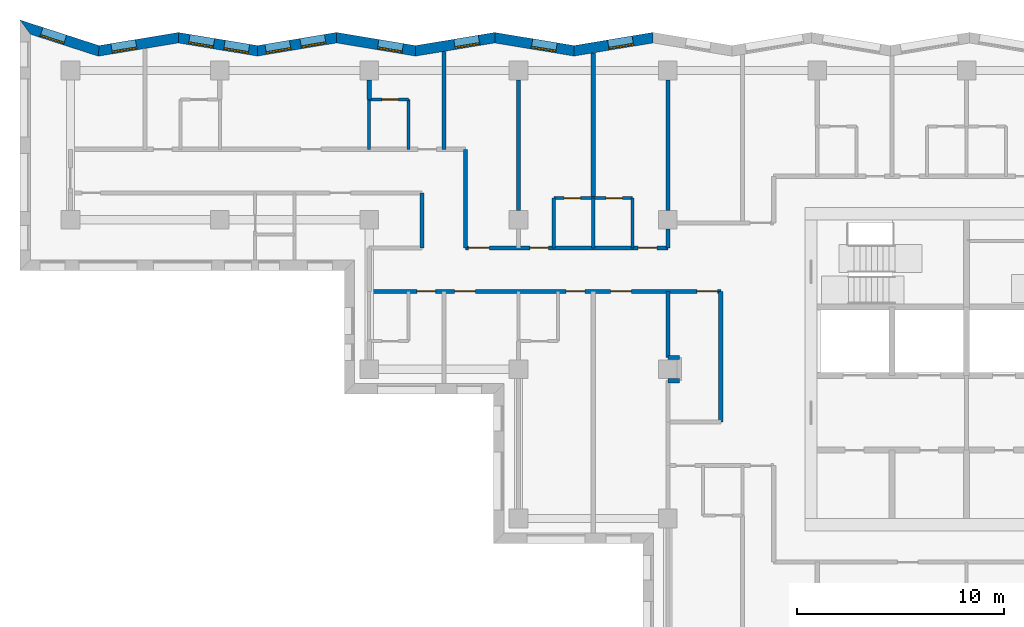
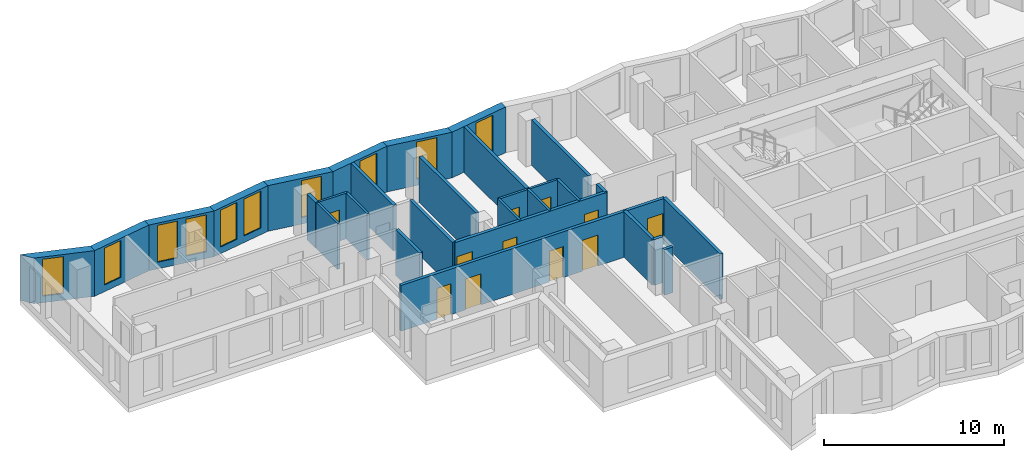
# One storey, part 5 of 13: 29 walls, 11 doors, 10 windows, 21 openings.
"""IFC4 building model written with IfcOpenShell, lengths in metres."""

from ifc_helpers import new_model, si_unit, direction, frame, frame_2d, origin, place, context, subcontext, project, spatial, polyline, rectangle, outline, extrude, material, layer, layer_set, type_object, element, fill, save


model = new_model("IFC4")

# Units and contexts
model_context = context("Model", 3, precision=1e-05, world=origin(), true_north=direction((0.0, 1.0)))
body_context = subcontext(model_context, "Body", "Model", "MODEL_VIEW")
ifc_project = project(units=[si_unit("LENGTHUNIT", "METRE"), si_unit("AREAUNIT", "SQUARE_METRE"), si_unit("VOLUMEUNIT", "CUBIC_METRE"), si_unit("PLANEANGLEUNIT", "RADIAN"), si_unit("MASSUNIT", "GRAM", prefix="KILO")], contexts=[model_context])

# Site, building, storey
site_placement = place(None, origin())
site = spatial("IfcSite", under=ifc_project, at=site_placement, CompositionType="ELEMENT")
building_placement = place(site_placement, origin())
building = spatial("IfcBuilding", under=site, at=building_placement, Name="Windrow Commons", CompositionType="ELEMENT")
storey_placement = place(building_placement, frame((0.0, 0.0, 172.8)))
storey = spatial("IfcBuildingStorey", under=building, at=storey_placement, Name="L47", CompositionType="ELEMENT", Elevation=172.8)

# Wall, opening, window
ifc_material_1 = material(Name="Brick masonry, red clay brick", Category="masonry")
ifc_layer_1 = layer(ifc_material_1, 0.5)
ifc_layer_set_1 = layer_set([ifc_layer_1], Name="Brick facade wall 500")
wall_type_1 = type_object("IfcWallType", Name="Brick facade wall 500", PredefinedType="SOLIDWALL", material=ifc_layer_set_1)
wall_1_placement = place(storey_placement, frame((49.6853, 73.5796, 0.0), z_axis=(0.0, 0.0, 1.0), x_axis=(-0.9865110911, -0.1636944324, 0.0)))
wall_1 = element("IfcWall", 1, at=wall_1_placement, inside=storey, type_object=wall_type_1, Name="Brick facade wall L47 27", PredefinedType="SOLIDWALL", context=body_context, shape_type="SweptSolid", body=[
    extrude(outline(polyline([(-0.0415, -0.25), (3.8255, -0.25), (3.9084, 0.25), (0.0415, 0.25), (-0.0415, -0.25)])), origin(), (0.0, 0.0, 1.0), 3.1),
])
opening_1_placement = place(wall_1_placement, frame((0.9831, 0.0, 0.45)))
opening_1 = element("IfcOpeningElement", 2, at=opening_1_placement, cuts=wall_1, Name="Opening W7E", PredefinedType="OPENING", context=body_context, shape_type="SweptSolid", body=[
    extrude(rectangle(XDim=1.2, YDim=2.5, at=frame_2d((0.6, 1.25))), frame((0.0, 0.26, 0.0), z_axis=(0.0, -1.0, 0.0), x_axis=(1.0, 0.0, 0.0)), (0.0, 0.0, 1.0), 0.52),
])
ifc_material_2 = material(Name="Clear float glass in anodised aluminium frame", Category="aluminium")
window_type = type_object("IfcWindowType", Name="Window W7 notch 1200x2500", PartitioningType="SINGLE_PANEL", PredefinedType="WINDOW", material=ifc_material_2)
window_1_placement = place(opening_1_placement, origin())
window_1 = element("IfcWindow", 3, at=window_1_placement, inside=storey, type_object=window_type, Name="Window L47 27.1", OverallHeight=2.5, OverallWidth=1.2, PartitioningType="SINGLE_PANEL", PredefinedType="WINDOW", context=body_context, shape_type="SweptSolid", body=[
    extrude(rectangle(XDim=1.2, YDim=2.5, at=frame_2d((0.6, 1.25))), frame((0.0, 0.18, 0.0), z_axis=(0.0, -1.0, 0.0), x_axis=(1.0, 0.0, 0.0)), (0.0, 0.0, 1.0), 0.06),
])
fill(opening_1, window_1)

wall_2_placement = place(storey_placement, frame((45.8705, 72.9466, 0.0), z_axis=(0.0, 0.0, 1.0), x_axis=(-0.9865110911, 0.1636944324, 0.0)))
wall_2 = element("IfcWall", 4, at=wall_2_placement, inside=storey, type_object=wall_type_1, Name="Brick facade wall L47 28", PredefinedType="SOLIDWALL", context=body_context, shape_type="SweptSolid", body=[
    extrude(outline(polyline([(0.0415, -0.25), (3.9084, -0.25), (3.8255, 0.25), (-0.0415, 0.25), (0.0415, -0.25)])), origin(), (0.0, 0.0, 1.0), 3.1),
])
opening_2_placement = place(wall_2_placement, frame((0.8535, 0.0, 0.45)))
opening_2 = element("IfcOpeningElement", 5, at=opening_2_placement, cuts=wall_2, Name="Opening W7E", PredefinedType="OPENING", context=body_context, shape_type="SweptSolid", body=[
    extrude(rectangle(XDim=1.2, YDim=2.5, at=frame_2d((0.6, 1.25))), frame((0.0, 0.26, 0.0), z_axis=(0.0, -1.0, 0.0), x_axis=(1.0, 0.0, 0.0)), (0.0, 0.0, 1.0), 0.52),
])
window_2_placement = place(opening_2_placement, origin())
window_2 = element("IfcWindow", 6, at=window_2_placement, inside=storey, type_object=window_type, Name="Window L47 28.1", OverallHeight=2.5, OverallWidth=1.2, PartitioningType="SINGLE_PANEL", PredefinedType="WINDOW", context=body_context, shape_type="SweptSolid", body=[
    extrude(rectangle(XDim=1.2, YDim=2.5, at=frame_2d((0.6, 1.25))), frame((0.0, 0.18, 0.0), z_axis=(0.0, -1.0, 0.0), x_axis=(1.0, 0.0, 0.0)), (0.0, 0.0, 1.0), 0.06),
])
fill(opening_2, window_2)

wall_3_placement = place(storey_placement, frame((42.0557, 73.5796, 0.0), z_axis=(0.0, 0.0, 1.0), x_axis=(-0.9865110911, -0.1636944324, 0.0)))
wall_3 = element("IfcWall", 7, at=wall_3_placement, inside=storey, type_object=wall_type_1, Name="Brick facade wall L47 29", PredefinedType="SOLIDWALL", context=body_context, shape_type="SweptSolid", body=[
    extrude(outline(polyline([(-0.0415, -0.25), (3.8255, -0.25), (3.9084, 0.25), (0.0415, 0.25), (-0.0415, -0.25)])), origin(), (0.0, 0.0, 1.0), 3.1),
])
opening_3_placement = place(wall_3_placement, frame((0.7654, 0.0, 0.45)))
opening_3 = element("IfcOpeningElement", 8, at=opening_3_placement, cuts=wall_3, Name="Opening W7E", PredefinedType="OPENING", context=body_context, shape_type="SweptSolid", body=[
    extrude(rectangle(XDim=1.2, YDim=2.5, at=frame_2d((0.6, 1.25))), frame((0.0, 0.26, 0.0), z_axis=(0.0, -1.0, 0.0), x_axis=(1.0, 0.0, 0.0)), (0.0, 0.0, 1.0), 0.52),
])
window_3_placement = place(opening_3_placement, origin())
window_3 = element("IfcWindow", 9, at=window_3_placement, inside=storey, type_object=window_type, Name="Window L47 29.1", OverallHeight=2.5, OverallWidth=1.2, PartitioningType="SINGLE_PANEL", PredefinedType="WINDOW", context=body_context, shape_type="SweptSolid", body=[
    extrude(rectangle(XDim=1.2, YDim=2.5, at=frame_2d((0.6, 1.25))), frame((0.0, 0.18, 0.0), z_axis=(0.0, -1.0, 0.0), x_axis=(1.0, 0.0, 0.0)), (0.0, 0.0, 1.0), 0.06),
])
fill(opening_3, window_3)

wall_4_placement = place(storey_placement, frame((38.2409, 72.9466, 0.0), z_axis=(0.0, 0.0, 1.0), x_axis=(-0.9865110911, 0.1636944324, 0.0)))
wall_4 = element("IfcWall", 10, at=wall_4_placement, inside=storey, type_object=wall_type_1, Name="Brick facade wall L47 30", PredefinedType="SOLIDWALL", context=body_context, shape_type="SweptSolid", body=[
    extrude(outline(polyline([(0.0415, -0.25), (3.9084, -0.25), (3.8255, 0.25), (-0.0415, 0.25), (0.0415, -0.25)])), origin(), (0.0, 0.0, 1.0), 3.1),
])
opening_4_placement = place(wall_4_placement, frame((0.6358, 0.0, 0.45)))
opening_4 = element("IfcOpeningElement", 11, at=opening_4_placement, cuts=wall_4, Name="Opening W7E", PredefinedType="OPENING", context=body_context, shape_type="SweptSolid", body=[
    extrude(rectangle(XDim=1.2, YDim=2.5, at=frame_2d((0.6, 1.25))), frame((0.0, 0.26, 0.0), z_axis=(0.0, -1.0, 0.0), x_axis=(1.0, 0.0, 0.0)), (0.0, 0.0, 1.0), 0.52),
])
window_4_placement = place(opening_4_placement, origin())
window_4 = element("IfcWindow", 12, at=window_4_placement, inside=storey, type_object=window_type, Name="Window L47 30.1", OverallHeight=2.5, OverallWidth=1.2, PartitioningType="SINGLE_PANEL", PredefinedType="WINDOW", context=body_context, shape_type="SweptSolid", body=[
    extrude(rectangle(XDim=1.2, YDim=2.5, at=frame_2d((0.6, 1.25))), frame((0.0, 0.18, 0.0), z_axis=(0.0, -1.0, 0.0), x_axis=(1.0, 0.0, 0.0)), (0.0, 0.0, 1.0), 0.06),
])
fill(opening_4, window_4)

# Wall, openings, windows
wall_5_placement = place(storey_placement, frame((34.4261, 73.5796, 0.0), z_axis=(0.0, 0.0, 1.0), x_axis=(-0.9865103981, -0.1636986085, 0.0)))
wall_5 = element("IfcWall", 13, at=wall_5_placement, inside=storey, type_object=wall_type_1, Name="Brick facade wall L47 31", PredefinedType="SOLIDWALL", context=body_context, shape_type="SweptSolid", body=[
    extrude(outline(polyline([(-0.0415, -0.25), (3.8255, -0.25), (3.9084, 0.25), (0.0415, 0.25), (-0.0415, -0.25)])), origin(), (0.0, 0.0, 1.0), 3.1),
])
opening_5_placement = place(wall_5_placement, frame((0.5477, 0.0, 0.45)))
opening_5 = element("IfcOpeningElement", 14, at=opening_5_placement, cuts=wall_5, Name="Opening W7E", PredefinedType="OPENING", context=body_context, shape_type="SweptSolid", body=[
    extrude(rectangle(XDim=1.2, YDim=2.5, at=frame_2d((0.6, 1.25))), frame((0.0, 0.26, 0.0), z_axis=(0.0, -1.0, 0.0), x_axis=(1.0, 0.0, 0.0)), (0.0, 0.0, 1.0), 0.52),
])
opening_6_placement = place(wall_5_placement, frame((2.2604, 0.0, 0.45)))
opening_6 = element("IfcOpeningElement", 15, at=opening_6_placement, cuts=wall_5, Name="Opening W7E", PredefinedType="OPENING", context=body_context, shape_type="SweptSolid", body=[
    extrude(rectangle(XDim=1.2, YDim=2.5, at=frame_2d((0.6, 1.25))), frame((0.0, 0.26, 0.0), z_axis=(0.0, -1.0, 0.0), x_axis=(1.0, 0.0, 0.0)), (0.0, 0.0, 1.0), 0.52),
])
window_5_placement = place(opening_5_placement, origin())
window_5 = element("IfcWindow", 16, at=window_5_placement, inside=storey, type_object=window_type, Name="Window L47 31.1", OverallHeight=2.5, OverallWidth=1.2, PartitioningType="SINGLE_PANEL", PredefinedType="WINDOW", context=body_context, shape_type="SweptSolid", body=[
    extrude(rectangle(XDim=1.2, YDim=2.5, at=frame_2d((0.6, 1.25))), frame((0.0, 0.18, 0.0), z_axis=(0.0, -1.0, 0.0), x_axis=(1.0, 0.0, 0.0)), (0.0, 0.0, 1.0), 0.06),
])
fill(opening_5, window_5)
window_6_placement = place(opening_6_placement, origin())
window_6 = element("IfcWindow", 17, at=window_6_placement, inside=storey, type_object=window_type, Name="Window L47 31.2", OverallHeight=2.5, OverallWidth=1.2, PartitioningType="SINGLE_PANEL", PredefinedType="WINDOW", context=body_context, shape_type="SweptSolid", body=[
    extrude(rectangle(XDim=1.2, YDim=2.5, at=frame_2d((0.6, 1.25))), frame((0.0, 0.18, 0.0), z_axis=(0.0, -1.0, 0.0), x_axis=(1.0, 0.0, 0.0)), (0.0, 0.0, 1.0), 0.06),
])
fill(opening_6, window_6)

wall_6_placement = place(storey_placement, frame((30.6114, 72.9466, 0.0), z_axis=(0.0, 0.0, 1.0), x_axis=(-0.9865110911, 0.1636944324, 0.0)))
wall_6 = element("IfcWall", 18, at=wall_6_placement, inside=storey, type_object=wall_type_1, Name="Brick facade wall L47 32", PredefinedType="SOLIDWALL", context=body_context, shape_type="SweptSolid", body=[
    extrude(outline(polyline([(0.0415, -0.25), (3.9084, -0.25), (3.8255, 0.25), (-0.0415, 0.25), (0.0415, -0.25)])), origin(), (0.0, 0.0, 1.0), 3.1),
])
opening_7_placement = place(wall_6_placement, frame((0.4181, 0.0, 0.45)))
opening_7 = element("IfcOpeningElement", 19, at=opening_7_placement, cuts=wall_6, Name="Opening W7E", PredefinedType="OPENING", context=body_context, shape_type="SweptSolid", body=[
    extrude(rectangle(XDim=1.2, YDim=2.5, at=frame_2d((0.6, 1.25))), frame((0.0, 0.26, 0.0), z_axis=(0.0, -1.0, 0.0), x_axis=(1.0, 0.0, 0.0)), (0.0, 0.0, 1.0), 0.52),
])
opening_8_placement = place(wall_6_placement, frame((2.1308, 0.0, 0.45)))
opening_8 = element("IfcOpeningElement", 20, at=opening_8_placement, cuts=wall_6, Name="Opening W7E", PredefinedType="OPENING", context=body_context, shape_type="SweptSolid", body=[
    extrude(rectangle(XDim=1.2, YDim=2.5, at=frame_2d((0.6, 1.25))), frame((0.0, 0.26, 0.0), z_axis=(0.0, -1.0, 0.0), x_axis=(1.0, 0.0, 0.0)), (0.0, 0.0, 1.0), 0.52),
])
window_7_placement = place(opening_7_placement, origin())
window_7 = element("IfcWindow", 21, at=window_7_placement, inside=storey, type_object=window_type, Name="Window L47 32.1", OverallHeight=2.5, OverallWidth=1.2, PartitioningType="SINGLE_PANEL", PredefinedType="WINDOW", context=body_context, shape_type="SweptSolid", body=[
    extrude(rectangle(XDim=1.2, YDim=2.5, at=frame_2d((0.6, 1.25))), frame((0.0, 0.18, 0.0), z_axis=(0.0, -1.0, 0.0), x_axis=(1.0, 0.0, 0.0)), (0.0, 0.0, 1.0), 0.06),
])
fill(opening_7, window_7)
window_8_placement = place(opening_8_placement, origin())
window_8 = element("IfcWindow", 22, at=window_8_placement, inside=storey, type_object=window_type, Name="Window L47 32.2", OverallHeight=2.5, OverallWidth=1.2, PartitioningType="SINGLE_PANEL", PredefinedType="WINDOW", context=body_context, shape_type="SweptSolid", body=[
    extrude(rectangle(XDim=1.2, YDim=2.5, at=frame_2d((0.6, 1.25))), frame((0.0, 0.18, 0.0), z_axis=(0.0, -1.0, 0.0), x_axis=(1.0, 0.0, 0.0)), (0.0, 0.0, 1.0), 0.06),
])
fill(opening_8, window_8)

# Wall, opening, window
wall_7_placement = place(storey_placement, frame((26.7966, 73.5796, 0.0), z_axis=(0.0, 0.0, 1.0), x_axis=(-0.986509816, -0.1637021166, 0.0)))
wall_7 = element("IfcWall", 23, at=wall_7_placement, inside=storey, type_object=wall_type_1, Name="Brick facade wall L47 33", PredefinedType="SOLIDWALL", context=body_context, shape_type="SweptSolid", body=[
    extrude(outline(polyline([(-0.0415, -0.25), (3.8255, -0.25), (3.947, 0.25), (0.0415, 0.25), (-0.0415, -0.25)])), origin(), (0.0, 0.0, 1.0), 3.1),
])
opening_9_placement = place(wall_7_placement, frame((2.0523, 0.0, 0.45)))
opening_9 = element("IfcOpeningElement", 24, at=opening_9_placement, cuts=wall_7, Name="Opening W7E", PredefinedType="OPENING", context=body_context, shape_type="SweptSolid", body=[
    extrude(rectangle(XDim=1.2, YDim=2.5, at=frame_2d((0.6, 1.25))), frame((0.0, 0.26, 0.0), z_axis=(0.0, -1.0, 0.0), x_axis=(1.0, 0.0, 0.0)), (0.0, 0.0, 1.0), 0.52),
])
window_9_placement = place(opening_9_placement, origin())
window_9 = element("IfcWindow", 25, at=window_9_placement, inside=storey, type_object=window_type, Name="Window L47 33.1", OverallHeight=2.5, OverallWidth=1.2, PartitioningType="SINGLE_PANEL", PredefinedType="WINDOW", context=body_context, shape_type="SweptSolid", body=[
    extrude(rectangle(XDim=1.2, YDim=2.5, at=frame_2d((0.6, 1.25))), frame((0.0, 0.18, 0.0), z_axis=(0.0, -1.0, 0.0), x_axis=(1.0, 0.0, 0.0)), (0.0, 0.0, 1.0), 0.06),
])
fill(opening_9, window_9)

wall_8_placement = place(storey_placement, frame((22.9627, 72.9434, 0.0), z_axis=(0.0, 0.0, 1.0), x_axis=(-0.9515260861, 0.3075680535, 0.0)))
wall_8 = element("IfcWall", 26, at=wall_8_placement, inside=storey, type_object=wall_type_1, Name="Brick facade wall L47 34", PredefinedType="SOLIDWALL", context=body_context, shape_type="SweptSolid", body=[
    extrude(outline(polyline([(0.0608, -0.25), (4.0699, -0.25), (3.3828, 0.25), (-0.0608, 0.25), (0.0608, -0.25)])), origin(), (0.0, 0.0, 1.0), 3.1),
])
opening_10_placement = place(wall_8_placement, frame((1.7075, 0.0, 0.45)))
opening_10 = element("IfcOpeningElement", 27, at=opening_10_placement, cuts=wall_8, Name="Opening W7E", PredefinedType="OPENING", context=body_context, shape_type="SweptSolid", body=[
    extrude(rectangle(XDim=1.2, YDim=2.5, at=frame_2d((0.6, 1.25))), frame((0.0, 0.26, 0.0), z_axis=(0.0, -1.0, 0.0), x_axis=(1.0, 0.0, 0.0)), (0.0, 0.0, 1.0), 0.52),
])
window_10_placement = place(opening_10_placement, origin())
window_10 = element("IfcWindow", 28, at=window_10_placement, inside=storey, type_object=window_type, Name="Window L47 34.1", OverallHeight=2.5, OverallWidth=1.2, PartitioningType="SINGLE_PANEL", PredefinedType="WINDOW", context=body_context, shape_type="SweptSolid", body=[
    extrude(rectangle(XDim=1.2, YDim=2.5, at=frame_2d((0.6, 1.25))), frame((0.0, 0.18, 0.0), z_axis=(0.0, -1.0, 0.0), x_axis=(1.0, 0.0, 0.0)), (0.0, 0.0, 1.0), 0.06),
])
fill(opening_10, window_10)

# Wall, openings, doors
ifc_material_3 = material(Name="Blockwork partition", Category="masonry")
ifc_layer_2 = layer(ifc_material_3, 0.2)
ifc_layer_set_2 = layer_set([ifc_layer_2], Name="IW-CORRIDOR-200")
wall_type_2 = type_object("IfcWallType", Name="IW-CORRIDOR-200", PredefinedType="PARTITIONING", material=ifc_layer_set_2)
wall_9_placement = place(storey_placement, frame((36.0, 61.35, 0.0), z_axis=(0.0, 0.0, 1.0), x_axis=(1.0, 0.0, 0.0)))
wall_9 = element("IfcWall", 29, at=wall_9_placement, inside=storey, type_object=wall_type_2, Name="W-L47-W003", PredefinedType="PARTITIONING", context=body_context, shape_type="SweptSolid", body=[
    extrude(rectangle(XDim=16.95, YDim=0.2, at=frame_2d((8.475, 0.0))), origin(), (0.0, 0.0, 1.0), 3.1),
])
opening_11_placement = place(wall_9_placement, frame((2.3, 0.0, 0.0)))
opening_11 = element("IfcOpeningElement", 30, at=opening_11_placement, cuts=wall_9, Name="Opening D109S", PredefinedType="OPENING", context=body_context, shape_type="SweptSolid", body=[
    extrude(rectangle(XDim=0.9, YDim=2.1, at=frame_2d((0.45, 1.05))), frame((0.0, 0.11, 0.0), z_axis=(0.0, -1.0, 0.0), x_axis=(1.0, 0.0, 0.0)), (0.0, 0.0, 1.0), 0.22),
])
opening_12_placement = place(wall_9_placement, frame((4.125, 0.0, 0.0)))
opening_12 = element("IfcOpeningElement", 31, at=opening_12_placement, cuts=wall_9, Name="Opening D310F", PredefinedType="OPENING", context=body_context, shape_type="SweptSolid", body=[
    extrude(rectangle(XDim=1.0, YDim=2.1, at=frame_2d((0.5, 1.05))), frame((0.0, 0.11, 0.0), z_axis=(0.0, -1.0, 0.0), x_axis=(1.0, 0.0, 0.0)), (0.0, 0.0, 1.0), 0.22),
])
opening_13_placement = place(wall_9_placement, frame((9.5, 0.0, 0.0)))
opening_13 = element("IfcOpeningElement", 32, at=opening_13_placement, cuts=wall_9, Name="Opening D109S", PredefinedType="OPENING", context=body_context, shape_type="SweptSolid", body=[
    extrude(rectangle(XDim=0.9, YDim=2.1, at=frame_2d((0.45, 1.05))), frame((0.0, 0.11, 0.0), z_axis=(0.0, -1.0, 0.0), x_axis=(1.0, 0.0, 0.0)), (0.0, 0.0, 1.0), 0.22),
])
opening_14_placement = place(wall_9_placement, frame((11.635, 0.0, 0.0)))
opening_14 = element("IfcOpeningElement", 33, at=opening_14_placement, cuts=wall_9, Name="Opening D310F", PredefinedType="OPENING", context=body_context, shape_type="SweptSolid", body=[
    extrude(rectangle(XDim=1.0, YDim=2.1, at=frame_2d((0.5, 1.05))), frame((0.0, 0.11, 0.0), z_axis=(0.0, -1.0, 0.0), x_axis=(1.0, 0.0, 0.0)), (0.0, 0.0, 1.0), 0.22),
])
opening_15_placement = place(wall_9_placement, frame((15.8032, 0.0, 0.0)))
opening_15 = element("IfcOpeningElement", 34, at=opening_15_placement, cuts=wall_9, Name="Opening D410F", PredefinedType="OPENING", context=body_context, shape_type="SweptSolid", body=[
    extrude(rectangle(XDim=1.0, YDim=2.1, at=frame_2d((0.5, 1.05))), frame((0.0, 0.11, 0.0), z_axis=(0.0, -1.0, 0.0), x_axis=(1.0, 0.0, 0.0)), (0.0, 0.0, 1.0), 0.22),
])
ifc_material_4 = material(Name="Timber door leaf", Category="wood")
door_type_1 = type_object("IfcDoorType", Name="DT-AMENITY-1000", OperationType="SINGLE_SWING_LEFT", PredefinedType="DOOR", material=ifc_material_4)
door_1_placement = place(opening_12_placement, origin())
door_1 = element("IfcDoor", 35, at=door_1_placement, inside=storey, type_object=door_type_1, Name="D-L47-D013", OperationType="SINGLE_SWING_RIGHT", OverallHeight=2.1, OverallWidth=1.0, PredefinedType="DOOR", context=body_context, shape_type="SweptSolid", body=[
    extrude(rectangle(XDim=1.0, YDim=2.1, at=frame_2d((0.5, 1.05))), frame((0.0, 0.025, 0.0), z_axis=(0.0, -1.0, 0.0), x_axis=(1.0, 0.0, 0.0)), (0.0, 0.0, 1.0), 0.05),
])
fill(opening_12, door_1)
door_2_placement = place(opening_14_placement, origin())
door_2 = element("IfcDoor", 36, at=door_2_placement, inside=storey, type_object=door_type_1, Name="D-L47-D021", OperationType="SINGLE_SWING_RIGHT", OverallHeight=2.1, OverallWidth=1.0, PredefinedType="DOOR", context=body_context, shape_type="SweptSolid", body=[
    extrude(rectangle(XDim=1.0, YDim=2.1, at=frame_2d((0.5, 1.05))), frame((0.0, 0.025, 0.0), z_axis=(0.0, -1.0, 0.0), x_axis=(1.0, 0.0, 0.0)), (0.0, 0.0, 1.0), 0.05),
])
fill(opening_14, door_2)
ifc_material_5 = material(Name="Timber door leaf", Category="wood")
door_type_2 = type_object("IfcDoorType", Name="DT-BEDROOM-900", OperationType="SINGLE_SWING_LEFT", PredefinedType="DOOR", material=ifc_material_5)
door_3_placement = place(opening_11_placement, origin())
door_3 = element("IfcDoor", 37, at=door_3_placement, inside=storey, type_object=door_type_2, Name="D-L47-D011", OperationType="SINGLE_SWING_LEFT", OverallHeight=2.1, OverallWidth=0.9, PredefinedType="DOOR", context=body_context, shape_type="SweptSolid", body=[
    extrude(rectangle(XDim=0.9, YDim=2.1, at=frame_2d((0.45, 1.05))), frame((0.0, 0.025, 0.0), z_axis=(0.0, -1.0, 0.0), x_axis=(1.0, 0.0, 0.0)), (0.0, 0.0, 1.0), 0.05),
])
fill(opening_11, door_3)
door_4_placement = place(opening_13_placement, origin())
door_4 = element("IfcDoor", 38, at=door_4_placement, inside=storey, type_object=door_type_2, Name="D-L47-D014", OperationType="SINGLE_SWING_LEFT", OverallHeight=2.1, OverallWidth=0.9, PredefinedType="DOOR", context=body_context, shape_type="SweptSolid", body=[
    extrude(rectangle(XDim=0.9, YDim=2.1, at=frame_2d((0.45, 1.05))), frame((0.0, 0.025, 0.0), z_axis=(0.0, -1.0, 0.0), x_axis=(1.0, 0.0, 0.0)), (0.0, 0.0, 1.0), 0.05),
])
fill(opening_13, door_4)
ifc_material_6 = material(Name="Timber door leaf", Category="wood")
door_type_3 = type_object("IfcDoorType", Name="DT-SERVICE-1000", OperationType="SINGLE_SWING_LEFT", PredefinedType="DOOR", material=ifc_material_6)
door_5_placement = place(opening_15_placement, origin())
door_5 = element("IfcDoor", 39, at=door_5_placement, inside=storey, type_object=door_type_3, Name="D-L47-D024", OperationType="SINGLE_SWING_LEFT", OverallHeight=2.1, OverallWidth=1.0, PredefinedType="DOOR", context=body_context, shape_type="SweptSolid", body=[
    extrude(rectangle(XDim=1.0, YDim=2.1, at=frame_2d((0.5, 1.05))), frame((0.0, 0.025, 0.0), z_axis=(0.0, -1.0, 0.0), x_axis=(1.0, 0.0, 0.0)), (0.0, 0.0, 1.0), 0.05),
])
fill(opening_15, door_5)

wall_10_placement = place(storey_placement, frame((40.65, 63.45, 0.0), z_axis=(0.0, 0.0, 1.0), x_axis=(1.0, 0.0, 0.0)))
wall_10 = element("IfcWall", 40, at=wall_10_placement, inside=storey, type_object=wall_type_2, Name="W-L47-W009", PredefinedType="PARTITIONING", context=body_context, shape_type="SweptSolid", body=[
    extrude(rectangle(XDim=9.75, YDim=0.2, at=frame_2d((4.875, 0.0))), origin(), (0.0, 0.0, 1.0), 3.1),
])
opening_16_placement = place(wall_10_placement, frame((0.1438, 0.0, 0.0)))
opening_16 = element("IfcOpeningElement", 41, at=opening_16_placement, cuts=wall_10, Name="Opening D310F", PredefinedType="OPENING", context=body_context, shape_type="SweptSolid", body=[
    extrude(rectangle(XDim=1.0, YDim=2.1, at=frame_2d((0.5, 1.05))), frame((0.0, 0.11, 0.0), z_axis=(0.0, -1.0, 0.0), x_axis=(1.0, 0.0, 0.0)), (0.0, 0.0, 1.0), 0.22),
])
opening_17_placement = place(wall_10_placement, frame((3.1017, 0.0, 0.0)))
opening_17 = element("IfcOpeningElement", 42, at=opening_17_placement, cuts=wall_10, Name="Opening D109S", PredefinedType="OPENING", context=body_context, shape_type="SweptSolid", body=[
    extrude(rectangle(XDim=0.9, YDim=2.1, at=frame_2d((0.45, 1.05))), frame((0.0, 0.11, 0.0), z_axis=(0.0, -1.0, 0.0), x_axis=(1.0, 0.0, 0.0)), (0.0, 0.0, 1.0), 0.22),
])
opening_18_placement = place(wall_10_placement, frame((8.3189, 0.0, 0.0)))
opening_18 = element("IfcOpeningElement", 43, at=opening_18_placement, cuts=wall_10, Name="Opening D109S", PredefinedType="OPENING", context=body_context, shape_type="SweptSolid", body=[
    extrude(rectangle(XDim=0.9, YDim=2.1, at=frame_2d((0.45, 1.05))), frame((0.0, 0.11, 0.0), z_axis=(0.0, -1.0, 0.0), x_axis=(1.0, 0.0, 0.0)), (0.0, 0.0, 1.0), 0.22),
])
door_6_placement = place(opening_16_placement, origin())
door_6 = element("IfcDoor", 44, at=door_6_placement, inside=storey, type_object=door_type_1, Name="D-L47-D016", OperationType="SINGLE_SWING_LEFT", OverallHeight=2.1, OverallWidth=1.0, PredefinedType="DOOR", context=body_context, shape_type="SweptSolid", body=[
    extrude(rectangle(XDim=1.0, YDim=2.1, at=frame_2d((0.5, 1.05))), frame((0.0, 0.025, 0.0), z_axis=(0.0, -1.0, 0.0), x_axis=(1.0, 0.0, 0.0)), (0.0, 0.0, 1.0), 0.05),
])
fill(opening_16, door_6)
door_7_placement = place(opening_17_placement, origin())
door_7 = element("IfcDoor", 45, at=door_7_placement, inside=storey, type_object=door_type_2, Name="D-L47-D017", OperationType="SINGLE_SWING_RIGHT", OverallHeight=2.1, OverallWidth=0.9, PredefinedType="DOOR", context=body_context, shape_type="SweptSolid", body=[
    extrude(rectangle(XDim=0.9, YDim=2.1, at=frame_2d((0.45, 1.05))), frame((0.0, 0.025, 0.0), z_axis=(0.0, -1.0, 0.0), x_axis=(1.0, 0.0, 0.0)), (0.0, 0.0, 1.0), 0.05),
])
fill(opening_17, door_7)
door_8_placement = place(opening_18_placement, origin())
door_8 = element("IfcDoor", 46, at=door_8_placement, inside=storey, type_object=door_type_2, Name="D-L47-D019", OperationType="SINGLE_SWING_LEFT", OverallHeight=2.1, OverallWidth=0.9, PredefinedType="DOOR", context=body_context, shape_type="SweptSolid", body=[
    extrude(rectangle(XDim=0.9, YDim=2.1, at=frame_2d((0.45, 1.05))), frame((0.0, 0.025, 0.0), z_axis=(0.0, -1.0, 0.0), x_axis=(1.0, 0.0, 0.0)), (0.0, 0.0, 1.0), 0.05),
])
fill(opening_18, door_8)

# Walls
wall_11_placement = place(storey_placement, frame((52.95, 55.05, 0.0), z_axis=(0.0, 0.0, 1.0), x_axis=(0.0, 1.0, 0.0)))
element("IfcWall", 47, at=wall_11_placement, inside=storey, type_object=wall_type_2, Name="W-L47-W023", PredefinedType="PARTITIONING", context=body_context, shape_type="SweptSolid", body=[
    extrude(rectangle(XDim=6.3, YDim=0.2, at=frame_2d((3.15, 0.0))), origin(), (0.0, 0.0, 1.0), 3.1),
])
wall_12_placement = place(storey_placement, frame((40.65, 63.452, 0.0), z_axis=(0.0, 0.0, 1.0), x_axis=(0.0, 1.0, 0.0)))
element("IfcWall", 48, at=wall_12_placement, inside=storey, type_object=wall_type_2, Name="W-L47-W038", PredefinedType="PARTITIONING", context=body_context, shape_type="SweptSolid", body=[
    extrude(rectangle(XDim=4.748, YDim=0.2, at=frame_2d((2.374, 0.0))), origin(), (0.0, 0.0, 1.0), 3.1),
])
wall_13_placement = place(storey_placement, frame((38.55, 63.452, 0.0), z_axis=(0.0, 0.0, 1.0), x_axis=(0.0, 1.0, 0.0)))
element("IfcWall", 49, at=wall_13_placement, inside=storey, type_object=wall_type_2, Name="W-L47-W063", PredefinedType="PARTITIONING", context=body_context, shape_type="SweptSolid", body=[
    extrude(rectangle(XDim=2.646, YDim=0.2, at=frame_2d((1.323, 0.0))), origin(), (0.0, 0.0, 1.0), 3.1),
])
wall_14_placement = place(storey_placement, frame((50.4, 63.452, 0.0), z_axis=(0.0, 0.0, 1.0), x_axis=(0.0, 1.0, 0.0)))
element("IfcWall", 50, at=wall_14_placement, inside=storey, type_object=wall_type_2, Name="W-L47-W140", PredefinedType="PARTITIONING", context=body_context, shape_type="SweptSolid", body=[
    extrude(rectangle(XDim=0.898, YDim=0.2, at=frame_2d((0.449, 0.0))), origin(), (0.0, 0.0, 1.0), 3.1),
])

# Wall, openings, doors
ifc_material_7 = material(Name="Blockwork partition", Category="masonry")
ifc_layer_3 = layer(ifc_material_7, 0.15)
ifc_layer_set_3 = layer_set([ifc_layer_3], Name="IW-ENSUITE-150")
wall_type_3 = type_object("IfcWallType", Name="IW-ENSUITE-150", PredefinedType="PARTITIONING", material=ifc_layer_set_3)
wall_15_placement = place(storey_placement, frame((44.9, 65.85, 0.0), z_axis=(0.0, 0.0, 1.0), x_axis=(1.0, 0.0, 0.0)))
wall_15 = element("IfcWall", 51, at=wall_15_placement, inside=storey, type_object=wall_type_3, Name="W-L47-W051", PredefinedType="PARTITIONING", context=body_context, shape_type="SweptSolid", body=[
    extrude(rectangle(XDim=3.8, YDim=0.15, at=frame_2d((1.9, 0.0))), origin(), (0.0, 0.0, 1.0), 3.1),
])
opening_19_placement = place(wall_15_placement, frame((0.4931, 0.0, 0.0)))
opening_19 = element("IfcOpeningElement", 52, at=opening_19_placement, cuts=wall_15, Name="Opening D208N", PredefinedType="OPENING", context=body_context, shape_type="SweptSolid", body=[
    extrude(rectangle(XDim=0.8, YDim=2.1, at=frame_2d((0.4, 1.05))), frame((0.0, 0.085, 0.0), z_axis=(0.0, -1.0, 0.0), x_axis=(1.0, 0.0, 0.0)), (0.0, 0.0, 1.0), 0.17),
])
opening_20_placement = place(wall_15_placement, frame((2.5069, 0.0, 0.0)))
opening_20 = element("IfcOpeningElement", 53, at=opening_20_placement, cuts=wall_15, Name="Opening D208N", PredefinedType="OPENING", context=body_context, shape_type="SweptSolid", body=[
    extrude(rectangle(XDim=0.8, YDim=2.1, at=frame_2d((0.4, 1.05))), frame((0.0, 0.085, 0.0), z_axis=(0.0, -1.0, 0.0), x_axis=(1.0, 0.0, 0.0)), (0.0, 0.0, 1.0), 0.17),
])
ifc_material_8 = material(Name="Timber door leaf", Category="wood")
door_type_4 = type_object("IfcDoorType", Name="DT-ENSUITE-800", OperationType="SINGLE_SWING_LEFT", PredefinedType="DOOR", material=ifc_material_8)
door_9_placement = place(opening_19_placement, origin())
door_9 = element("IfcDoor", 54, at=door_9_placement, inside=storey, type_object=door_type_4, Name="D-L47-D018", OperationType="SINGLE_SWING_RIGHT", OverallHeight=2.1, OverallWidth=0.8, PredefinedType="DOOR", context=body_context, shape_type="SweptSolid", body=[
    extrude(rectangle(XDim=0.8, YDim=2.1, at=frame_2d((0.4, 1.05))), frame((0.0, 0.025, 0.0), z_axis=(0.0, -1.0, 0.0), x_axis=(1.0, 0.0, 0.0)), (0.0, 0.0, 1.0), 0.05),
])
fill(opening_19, door_9)
door_10_placement = place(opening_20_placement, origin())
door_10 = element("IfcDoor", 55, at=door_10_placement, inside=storey, type_object=door_type_4, Name="D-L47-D020", OperationType="SINGLE_SWING_RIGHT", OverallHeight=2.1, OverallWidth=0.8, PredefinedType="DOOR", context=body_context, shape_type="SweptSolid", body=[
    extrude(rectangle(XDim=0.8, YDim=2.1, at=frame_2d((0.4, 1.05))), frame((0.0, 0.025, 0.0), z_axis=(0.0, -1.0, 0.0), x_axis=(1.0, 0.0, 0.0)), (0.0, 0.0, 1.0), 0.05),
])
fill(opening_20, door_10)

# Walls
for number, where, z_axis, x_axis, name in (
    (56, (37.9, 68.2, 0.0), (0.0, 0.0, 1.0), (0.0, 1.0, 0.0), "W-L47-W081"),
    (57, (36.0, 68.2, 0.0), (0.0, 0.0, 1.0), (0.0, 1.0, 0.0), "W-L47-W082"),
    (58, (44.9, 63.45, 0.0), (0.0, 0.0, 1.0), (0.0, 1.0, 0.0), "W-L47-W083"),
    (59, (46.8, 63.45, 0.0), (0.0, 0.0, 1.0), (0.0, 1.0, 0.0), "W-L47-W084"),
    (60, (48.7, 63.45, 0.0), (0.0, 0.0, 1.0), (0.0, 1.0, 0.0), "W-L47-W085"),
):
    element("IfcWall", number, at=place(storey_placement, frame(where, z_axis=z_axis, x_axis=x_axis)), inside=storey, type_object=wall_type_3, Name=name, PredefinedType="PARTITIONING", context=body_context, shape_type="SweptSolid", body=[
        extrude(rectangle(XDim=2.4, YDim=0.15, at=frame_2d((1.2, 0.0))), origin(), (0.0, 0.0, 1.0), 3.1),
    ])

# Wall, opening, door
wall_16_placement = place(storey_placement, frame((36.0, 70.6, 0.0), z_axis=(0.0, 0.0, 1.0), x_axis=(1.0, 0.0, 0.0)))
wall_16 = element("IfcWall", 61, at=wall_16_placement, inside=storey, type_object=wall_type_3, Name="W-L47-W119", PredefinedType="PARTITIONING", context=body_context, shape_type="SweptSolid", body=[
    extrude(rectangle(XDim=1.9, YDim=0.15, at=frame_2d((0.95, 0.0))), origin(), (0.0, 0.0, 1.0), 3.1),
])
opening_21_placement = place(wall_16_placement, frame((0.6069, 0.0, 0.0)))
opening_21 = element("IfcOpeningElement", 62, at=opening_21_placement, cuts=wall_16, Name="Opening D208N", PredefinedType="OPENING", context=body_context, shape_type="SweptSolid", body=[
    extrude(rectangle(XDim=0.8, YDim=2.1, at=frame_2d((0.4, 1.05))), frame((0.0, 0.085, 0.0), z_axis=(0.0, -1.0, 0.0), x_axis=(1.0, 0.0, 0.0)), (0.0, 0.0, 1.0), 0.17),
])
door_11_placement = place(opening_21_placement, origin())
door_11 = element("IfcDoor", 63, at=door_11_placement, inside=storey, type_object=door_type_4, Name="D-L47-D009", OperationType="SINGLE_SWING_RIGHT", OverallHeight=2.1, OverallWidth=0.8, PredefinedType="DOOR", context=body_context, shape_type="SweptSolid", body=[
    extrude(rectangle(XDim=0.8, YDim=2.1, at=frame_2d((0.4, 1.05))), frame((0.0, 0.025, 0.0), z_axis=(0.0, -1.0, 0.0), x_axis=(1.0, 0.0, 0.0)), (0.0, 0.0, 1.0), 0.05),
])
fill(opening_21, door_11)

# Walls
ifc_material_9 = material(Name="Blockwork partition", Category="masonry")
ifc_layer_4 = layer(ifc_material_9, 0.2)
ifc_layer_set_4 = layer_set([ifc_layer_4], Name="IW-PARTY-200")
wall_type_4 = type_object("IfcWallType", Name="IW-PARTY-200", PredefinedType="PARTITIONING", material=ifc_layer_set_4)
wall_17_placement = place(storey_placement, frame((46.8, 65.85, 0.0), z_axis=(0.0, 0.0, 1.0), x_axis=(0.0, 1.0, 0.0)))
element("IfcWall", 64, at=wall_17_placement, inside=storey, type_object=wall_type_4, Name="W-L47-W018", PredefinedType="PARTITIONING", context=body_context, shape_type="SweptSolid", body=[
    extrude(rectangle(XDim=6.9974, YDim=0.2, at=frame_2d((3.4987, 0.0))), origin(), (0.0, 0.0, 1.0), 3.1),
])
for number, where, z_axis, x_axis, name in (
    (65, (43.2, 65.25, 0.0), (0.0, 0.0, 1.0), (0.0, 1.0, 0.0), "W-L47-W025"),
    (66, (50.4, 65.25, 0.0), (0.0, 0.0, 1.0), (0.0, 1.0, 0.0), "W-L47-W026"),
):
    element("IfcWall", number, at=place(storey_placement, frame(where, z_axis=z_axis, x_axis=x_axis)), inside=storey, type_object=wall_type_4, Name=name, PredefinedType="PARTITIONING", context=body_context, shape_type="SweptSolid", body=[
        extrude(rectangle(XDim=6.3, YDim=0.2, at=frame_2d((3.15, 0.0))), origin(), (0.0, 0.0, 1.0), 3.1),
    ])
wall_18_placement = place(storey_placement, frame((39.6, 68.2, 0.0), z_axis=(0.0, 0.0, 1.0), x_axis=(0.0, 1.0, 0.0)))
element("IfcWall", 67, at=wall_18_placement, inside=storey, type_object=wall_type_4, Name="W-L47-W039", PredefinedType="PARTITIONING", context=body_context, shape_type="SweptSolid", body=[
    extrude(rectangle(XDim=4.7187, YDim=0.2, at=frame_2d((2.3594, 0.0))), origin(), (0.0, 0.0, 1.0), 3.1),
])
wall_19_placement = place(storey_placement, frame((50.4, 58.156, 0.0), z_axis=(0.0, 0.0, 1.0), x_axis=(0.0, 1.0, 0.0)))
element("IfcWall", 68, at=wall_19_placement, inside=storey, type_object=wall_type_4, Name="W-L47-W059", PredefinedType="PARTITIONING", context=body_context, shape_type="SweptSolid", body=[
    extrude(rectangle(XDim=3.194, YDim=0.2, at=frame_2d((1.597, 0.0))), origin(), (0.0, 0.0, 1.0), 3.1),
])
wall_20_placement = place(storey_placement, frame((36.0, 70.6, 0.0), z_axis=(0.0, 0.0, 1.0), x_axis=(0.0, 1.0, 0.0)))
element("IfcWall", 69, at=wall_20_placement, inside=storey, type_object=wall_type_4, Name="W-L47-W135", PredefinedType="PARTITIONING", context=body_context, shape_type="SweptSolid", body=[
    extrude(rectangle(XDim=0.95, YDim=0.2, at=frame_2d((0.475, 0.0))), origin(), (0.0, 0.0, 1.0), 3.1),
])
for number, where, z_axis, x_axis, name in (
    (70, (50.4, 58.16, 0.0), (0.0, 0.0, 1.0), (1.0, 0.0, 0.0), "W-L47-W150"),
    (71, (50.4, 57.04, 0.0), (0.0, 0.0, 1.0), (1.0, 0.0, 0.0), "W-L47-W151"),
):
    element("IfcWall", number, at=place(storey_placement, frame(where, z_axis=z_axis, x_axis=x_axis)), inside=storey, type_object=wall_type_4, Name=name, PredefinedType="PARTITIONING", context=body_context, shape_type="SweptSolid", body=[
        extrude(rectangle(XDim=0.55, YDim=0.2, at=frame_2d((0.275, 0.0))), origin(), (0.0, 0.0, 1.0), 3.1),
    ])

save(model, "model.ifc")
